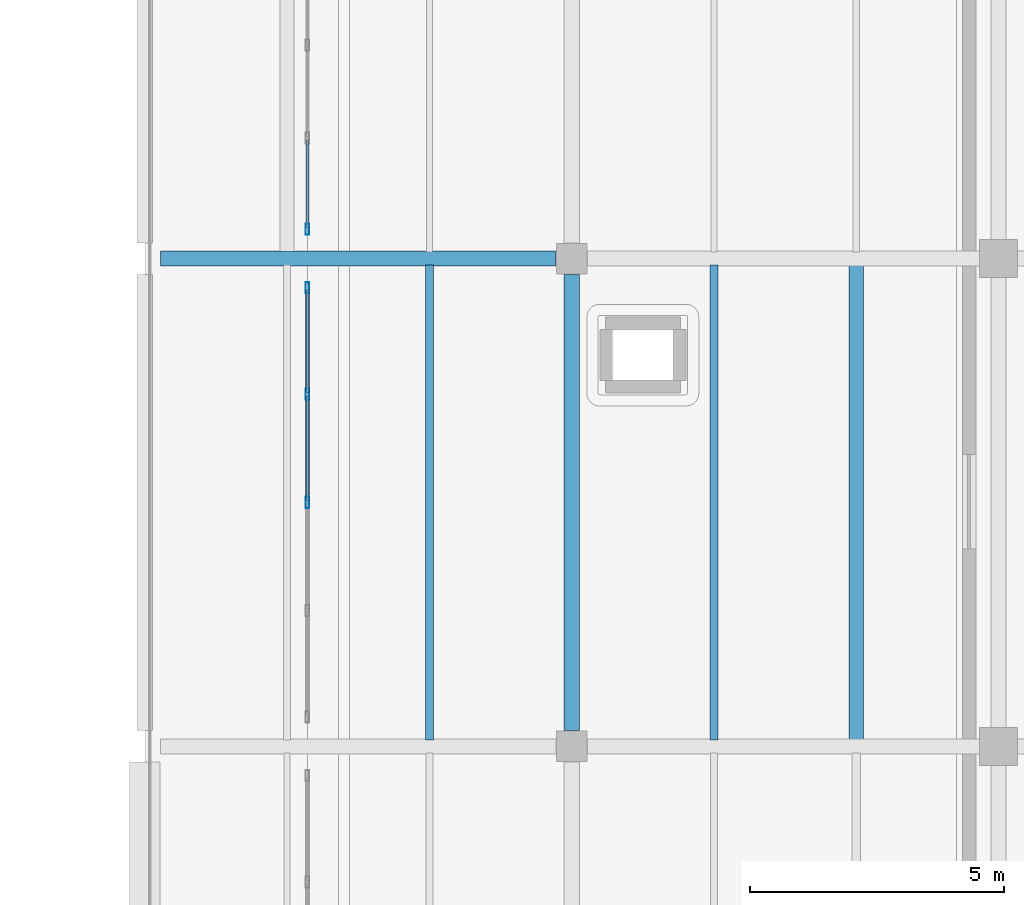
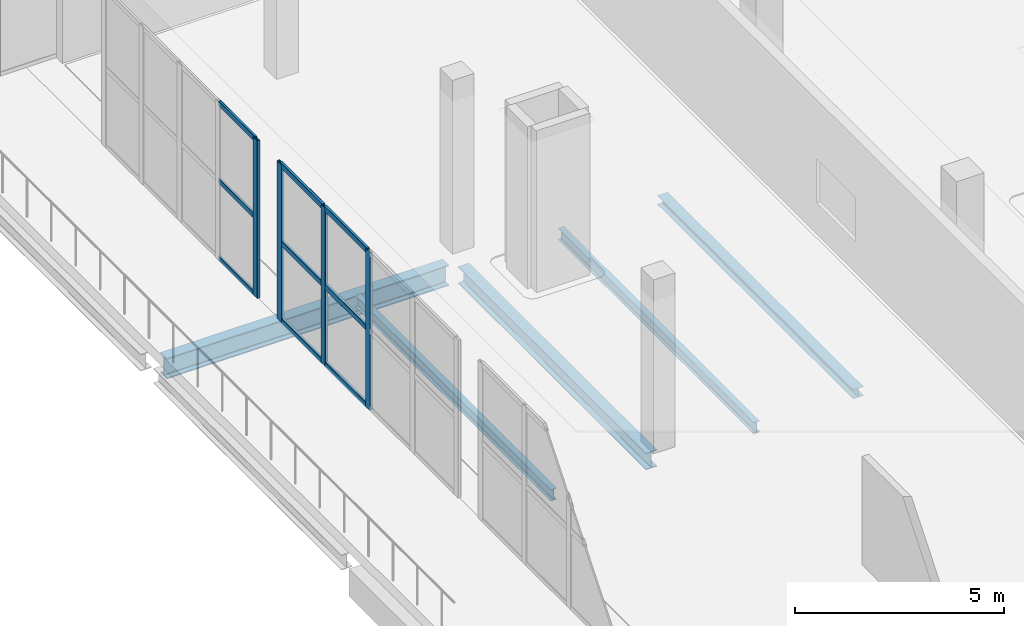
# One storey, part 30 of 77: 13 members, 5 beams, 2 elements without a shape of their own.
"""IFC4 building model written with IfcOpenShell, lengths in metres."""

from ifc_helpers import new_model, si_unit, direction, frame, origin, origin_2d, place, context, subcontext, project, spatial, hollow_rectangle, i_section, extrude, material, layer, layer_set, material_profile, profile_set, type_object, element, aggregate, save


model = new_model("IFC4")

# Units and contexts
model_context = context("Model", 3, precision=1e-05, world=origin(), true_north=direction((0.0, 1.0)))
body_context = subcontext(model_context, "Body", "Model", "MODEL_VIEW")
ifc_project = project(units=[si_unit("LENGTHUNIT", "METRE"), si_unit("AREAUNIT", "SQUARE_METRE"), si_unit("VOLUMEUNIT", "CUBIC_METRE"), si_unit("PLANEANGLEUNIT", "RADIAN"), si_unit("MASSUNIT", "GRAM", prefix="KILO")], contexts=[model_context])

# Site, building, storey
site_placement = place(None, origin())
site = spatial("IfcSite", under=ifc_project, at=site_placement, CompositionType="ELEMENT")
building_placement = place(site_placement, origin())
building = spatial("IfcBuilding", under=site, at=building_placement, Name="Zulmaris Art Gallery", CompositionType="ELEMENT")
storey_placement = place(building_placement, frame((0.0, 0.0, 15.60009765625)))
storey = spatial("IfcBuildingStorey", under=building, at=storey_placement, Name="L03", CompositionType="ELEMENT", Elevation=15.60009765625)

# Beams
ifc_material_1 = material(Name="Steel S355J2", Category="steel")
ifc_material_profile_1 = material_profile(ifc_material_1, i_section(OverallWidth=0.300048828125, OverallDepth=0.489990234375, WebThickness=0.011962890625, FlangeThickness=0.02294921875, FilletRadius=0.027099609375, at=origin_2d()), Name="HEA 500")
ifc_profile_set_1 = profile_set([ifc_material_profile_1], Name="Steel S355J2")
beam_type_1 = type_object("IfcBeamType", Name="BEAM-BM11", PredefinedType="BEAM", material=ifc_profile_set_1)
beam_1_placement = place(storey_placement, frame((133.199951171875, 41.110107421875, -0.614990234375), z_axis=(0.0, 1.0, 0.0), x_axis=(-1.0, 0.0, 0.0)))
element("IfcBeam", 1, at=beam_1_placement, inside=storey, type_object=beam_type_1, Name="L03 Y-girder (x=133.2, 40.8..50.4)", PredefinedType="BEAM", context=body_context, shape_type="SweptSolid", body=[
    extrude(i_section(OverallWidth=0.300048828125, OverallDepth=0.489990234375, WebThickness=0.011962890625, FlangeThickness=0.02294921875, FilletRadius=0.027099609375, at=origin_2d()), origin(), (0.0, 0.0, 1.0), 8.97998046875),
])
ifc_material_profile_2 = material_profile(ifc_material_1, i_section(OverallWidth=0.300048828125, OverallDepth=0.60009765625, WebThickness=0.015380859375, FlangeThickness=0.030029296875, FilletRadius=0.027099609375, at=origin_2d()), Name="HEB 600")
ifc_profile_set_2 = profile_set([ifc_material_profile_2], Name="Steel S355J2")
beam_type_2 = type_object("IfcBeamType", Name="BEAM-BM15", PredefinedType="BEAM", material=ifc_profile_set_2)
beam_2_placement = place(storey_placement, frame((125.110107421875, 50.39990234375, -0.670166015625), z_axis=(1.0, 0.0, 0.0), x_axis=(0.0, 1.0, 0.0)))
element("IfcBeam", 2, at=beam_2_placement, inside=storey, type_object=beam_type_2, Name="L03 X-girder (124.8..133.2, y=50.4)", PredefinedType="BEAM", context=body_context, shape_type="SweptSolid", body=[
    extrude(i_section(OverallWidth=0.300048828125, OverallDepth=0.60009765625, WebThickness=0.015380859375, FlangeThickness=0.030029296875, FilletRadius=0.027099609375, at=origin_2d()), origin(), (0.0, 0.0, 1.0), 7.77978515625),
])
ifc_material_profile_3 = material_profile(ifc_material_1, i_section(OverallWidth=0.159912109375, OverallDepth=0.330078125, WebThickness=0.007568359375, FlangeThickness=0.011474609375, FilletRadius=0.01806640625, at=origin_2d()), Name="IPE 330")
ifc_profile_set_3 = profile_set([ifc_material_profile_3], Name="Steel S355J2")
beam_type_3 = type_object("IfcBeamType", Name="BEAM-JS03", PredefinedType="JOIST", material=ifc_profile_set_3)
for number, where, z_axis, x_axis, name in (
    (3, (130.39990234375, 40.925048828125, -0.53515625), (0.0, 1.0, 0.0), (-1.0, 0.0, 0.0), "L03 secondary joist at x=130.4"),
    (4, (136.0, 40.925048828125, -0.53515625), (0.0, 1.0, 0.0), (-1.0, 0.0, 0.0), "L03 secondary joist at x=136.0"),
):
    element("IfcBeam", number, at=place(storey_placement, frame(where, z_axis=z_axis, x_axis=x_axis)), inside=storey, type_object=beam_type_3, Name=name, PredefinedType="JOIST", context=body_context, shape_type="SweptSolid", body=[
        extrude(i_section(OverallWidth=0.159912109375, OverallDepth=0.330078125, WebThickness=0.007568359375, FlangeThickness=0.011474609375, FilletRadius=0.01806640625, at=origin_2d()), origin(), (0.0, 0.0, 1.0), 9.349853515625),
    ])
ifc_material_profile_4 = material_profile(ifc_material_1, i_section(OverallWidth=0.280029296875, OverallDepth=0.27001953125, WebThickness=0.008056640625, FlangeThickness=0.012939453125, FilletRadius=0.02392578125, at=origin_2d()), Name="HEA 280")
ifc_profile_set_4 = profile_set([ifc_material_profile_4], Name="Steel S355J2")
beam_type_4 = type_object("IfcBeamType", Name="BEAM-JS04", PredefinedType="JOIST", material=ifc_profile_set_4)
beam_3_placement = place(storey_placement, frame((138.800048828125, 40.925048828125, -0.505126953125), z_axis=(0.0, 1.0, 0.0), x_axis=(-1.0, 0.0, 0.0)))
element("IfcBeam", 5, at=beam_3_placement, inside=storey, type_object=beam_type_4, Name="L03 secondary joist at x=138.8", PredefinedType="JOIST", context=body_context, shape_type="SweptSolid", body=[
    extrude(i_section(OverallWidth=0.280029296875, OverallDepth=0.27001953125, WebThickness=0.008056640625, FlangeThickness=0.012939453125, FilletRadius=0.02392578125, at=origin_2d()), origin(), (0.0, 0.0, 1.0), 9.349853515625),
])

# Curtain wall, members
ifc_material_2 = material(Name="Unitised Low-E Gallery Curtain Wall", Category="aluminium")
ifc_layer = layer(ifc_material_2, 0.179931640625)
ifc_layer_set = layer_set([ifc_layer], Name="Unitised Low-E Gallery Curtain Wall")
curtain_wall_type = type_object("IfcCurtainWallType", Name="CW-CW01", PredefinedType="NOTDEFINED", material=ifc_layer_set)
curtain_wall_1_placement = place(storey_placement, origin())
curtain_wall_1 = element("IfcCurtainWall", 6, at=curtain_wall_1_placement, inside=storey, type_object=curtain_wall_type, Name="L03 curtain wall 121", PredefinedType="NOTDEFINED")
ifc_material_3 = material(Name="Anodised Bronze Aluminium", Category="aluminium")
ifc_material_profile_5 = material_profile(ifc_material_3, hollow_rectangle(XDim=0.074951171875, YDim=0.219970703125, WallThickness=0.0048828125, InnerFilletRadius=0.007568359375, OuterFilletRadius=0.012451171875, at=origin_2d()), Name="ALU 75x220x5")
ifc_profile_set_5 = profile_set([ifc_material_profile_5], Name="Anodised Bronze Aluminium")
member_type_1 = type_object("IfcMemberType", Name="CWMUL-02", PredefinedType="MULLION", material=ifc_profile_set_5)
member_1_placement = place(storey_placement, frame((128.0, 45.60009765625, 0.0), z_axis=(0.0, 0.0, 1.0), x_axis=(-1.0, 0.0, 0.0)))
member_1 = element("IfcMember", 7, at=member_1_placement, type_object=member_type_1, Name="CW01 mullion 3", PredefinedType="MULLION", context=body_context, shape_type="SweptSolid", body=[
    extrude(hollow_rectangle(XDim=0.074951171875, YDim=0.219970703125, WallThickness=0.0048828125, InnerFilletRadius=0.007568359375, OuterFilletRadius=0.012451171875, at=origin_2d()), origin(), (0.0, 0.0, 1.0), 4.599853515625),
])
member_2_placement = place(storey_placement, frame((128.0, 47.72998046875, 0.0), z_axis=(0.0, 0.0, 1.0), x_axis=(-1.0, 0.0, 0.0)))
member_2 = element("IfcMember", 8, at=member_2_placement, type_object=member_type_1, Name="CW01 mullion 4", PredefinedType="MULLION", context=body_context, shape_type="SweptSolid", body=[
    extrude(hollow_rectangle(XDim=0.074951171875, YDim=0.219970703125, WallThickness=0.0048828125, InnerFilletRadius=0.007568359375, OuterFilletRadius=0.012451171875, at=origin_2d()), origin(), (0.0, 0.0, 1.0), 4.599853515625),
])
member_3_placement = place(storey_placement, frame((128.0, 49.822509765625, 0.0), z_axis=(0.0, 0.0, 1.0), x_axis=(-1.0, 0.0, 0.0)))
member_3 = element("IfcMember", 9, at=member_3_placement, type_object=member_type_1, Name="CW01 mullion 5", PredefinedType="MULLION", context=body_context, shape_type="SweptSolid", body=[
    extrude(hollow_rectangle(XDim=0.074951171875, YDim=0.219970703125, WallThickness=0.0048828125, InnerFilletRadius=0.007568359375, OuterFilletRadius=0.012451171875, at=origin_2d()), origin(), (0.0, 0.0, 1.0), 4.599853515625),
])

curtain_wall_2_placement = place(storey_placement, origin())
curtain_wall_2 = element("IfcCurtainWall", 10, at=curtain_wall_2_placement, inside=storey, type_object=curtain_wall_type, Name="L03 curtain wall 122", PredefinedType="NOTDEFINED")
member_4_placement = place(storey_placement, frame((128.0, 50.9775390625, 0.0), z_axis=(0.0, 0.0, 1.0), x_axis=(-1.0, 0.0, 0.0)))
member_4 = element("IfcMember", 11, at=member_4_placement, type_object=member_type_1, Name="CW01 mullion 1", PredefinedType="MULLION", context=body_context, shape_type="SweptSolid", body=[
    extrude(hollow_rectangle(XDim=0.074951171875, YDim=0.219970703125, WallThickness=0.0048828125, InnerFilletRadius=0.007568359375, OuterFilletRadius=0.012451171875, at=origin_2d()), origin(), (0.0, 0.0, 1.0), 4.599853515625),
])
ifc_material_profile_6 = material_profile(ifc_material_3, hollow_rectangle(XDim=0.06494140625, YDim=0.14990234375, WallThickness=0.00390625, InnerFilletRadius=0.006103515625, OuterFilletRadius=0.010009765625, at=origin_2d()), Name="ALU 65x150x4")
ifc_profile_set_6 = profile_set([ifc_material_profile_6], Name="Anodised Bronze Aluminium")
member_type_2 = type_object("IfcMemberType", Name="CWTRN-01", PredefinedType="USERDEFINED", material=ifc_profile_set_6)
member_5_placement = place(storey_placement, frame((128.0, 51.014892578125, 0.037353515625), z_axis=(0.0, 1.0, 0.0), x_axis=(-1.0, 0.0, 0.0)))
member_5 = element("IfcMember", 12, at=member_5_placement, type_object=member_type_2, Name="CW01 transom 1.1", ObjectType="TRANSOM", PredefinedType="USERDEFINED", context=body_context, shape_type="SweptSolid", body=[
    extrude(hollow_rectangle(XDim=0.06494140625, YDim=0.14990234375, WallThickness=0.00390625, InnerFilletRadius=0.006103515625, OuterFilletRadius=0.010009765625, at=origin_2d()), origin(), (0.0, 0.0, 1.0), 1.717529296875),
])
member_6_placement = place(storey_placement, frame((128.0, 51.014892578125, 2.2998046875), z_axis=(0.0, 1.0, 0.0), x_axis=(-1.0, 0.0, 0.0)))
member_6 = element("IfcMember", 13, at=member_6_placement, type_object=member_type_2, Name="CW01 transom 1.2", ObjectType="TRANSOM", PredefinedType="USERDEFINED", context=body_context, shape_type="SweptSolid", body=[
    extrude(hollow_rectangle(XDim=0.06494140625, YDim=0.14990234375, WallThickness=0.00390625, InnerFilletRadius=0.006103515625, OuterFilletRadius=0.010009765625, at=origin_2d()), origin(), (0.0, 0.0, 1.0), 1.717529296875),
])
member_7_placement = place(storey_placement, frame((128.0, 51.014892578125, 4.5625), z_axis=(0.0, 1.0, 0.0), x_axis=(-1.0, 0.0, 0.0)))
member_7 = element("IfcMember", 14, at=member_7_placement, type_object=member_type_2, Name="CW01 transom 1.3", ObjectType="TRANSOM", PredefinedType="USERDEFINED", context=body_context, shape_type="SweptSolid", body=[
    extrude(hollow_rectangle(XDim=0.06494140625, YDim=0.14990234375, WallThickness=0.00390625, InnerFilletRadius=0.006103515625, OuterFilletRadius=0.010009765625, at=origin_2d()), origin(), (0.0, 0.0, 1.0), 1.717529296875),
])
aggregate(curtain_wall_2, [member_4, member_5, member_6, member_7])

# Member
ifc_material_profile_7 = material_profile(ifc_material_3, hollow_rectangle(XDim=0.074951171875, YDim=0.159912109375, WallThickness=0.00390625, InnerFilletRadius=0.006103515625, OuterFilletRadius=0.010009765625, at=origin_2d()), Name="ALU 75x160x4")
ifc_profile_set_7 = profile_set([ifc_material_profile_7], Name="Anodised Bronze Aluminium")
member_type_3 = type_object("IfcMemberType", Name="CWTRN-02", PredefinedType="USERDEFINED", material=ifc_profile_set_7)
member_8_placement = place(storey_placement, frame((128.0, 45.637451171875, 0.037353515625), z_axis=(0.0, 1.0, 0.0), x_axis=(-1.0, 0.0, 0.0)))
member_8 = element("IfcMember", 15, at=member_8_placement, type_object=member_type_3, Name="CW01 transom 3.1", ObjectType="TRANSOM", PredefinedType="USERDEFINED", context=body_context, shape_type="SweptSolid", body=[
    extrude(hollow_rectangle(XDim=0.074951171875, YDim=0.159912109375, WallThickness=0.00390625, InnerFilletRadius=0.006103515625, OuterFilletRadius=0.010009765625, at=origin_2d()), origin(), (0.0, 0.0, 1.0), 2.054931640625),
])

member_9_placement = place(storey_placement, frame((128.0, 45.637451171875, 2.2998046875), z_axis=(0.0, 1.0, 0.0), x_axis=(-1.0, 0.0, 0.0)))
member_9 = element("IfcMember", 16, at=member_9_placement, type_object=member_type_3, Name="CW01 transom 3.2", ObjectType="TRANSOM", PredefinedType="USERDEFINED", context=body_context, shape_type="SweptSolid", body=[
    extrude(hollow_rectangle(XDim=0.074951171875, YDim=0.159912109375, WallThickness=0.00390625, InnerFilletRadius=0.006103515625, OuterFilletRadius=0.010009765625, at=origin_2d()), origin(), (0.0, 0.0, 1.0), 2.054931640625),
])

member_10_placement = place(storey_placement, frame((128.0, 45.637451171875, 4.5625), z_axis=(0.0, 1.0, 0.0), x_axis=(-1.0, 0.0, 0.0)))
member_10 = element("IfcMember", 17, at=member_10_placement, type_object=member_type_3, Name="CW01 transom 3.3", ObjectType="TRANSOM", PredefinedType="USERDEFINED", context=body_context, shape_type="SweptSolid", body=[
    extrude(hollow_rectangle(XDim=0.074951171875, YDim=0.159912109375, WallThickness=0.00390625, InnerFilletRadius=0.006103515625, OuterFilletRadius=0.010009765625, at=origin_2d()), origin(), (0.0, 0.0, 1.0), 2.054931640625),
])

member_11_placement = place(storey_placement, frame((128.0, 47.767578125, 0.037353515625), z_axis=(0.0, 1.0, 0.0), x_axis=(-1.0, 0.0, 0.0)))
member_11 = element("IfcMember", 18, at=member_11_placement, type_object=member_type_3, Name="CW01 transom 4.1", ObjectType="TRANSOM", PredefinedType="USERDEFINED", context=body_context, shape_type="SweptSolid", body=[
    extrude(hollow_rectangle(XDim=0.074951171875, YDim=0.159912109375, WallThickness=0.00390625, InnerFilletRadius=0.006103515625, OuterFilletRadius=0.010009765625, at=origin_2d()), origin(), (0.0, 0.0, 1.0), 2.017333984375),
])

member_12_placement = place(storey_placement, frame((128.0, 47.767578125, 2.2998046875), z_axis=(0.0, 1.0, 0.0), x_axis=(-1.0, 0.0, 0.0)))
member_12 = element("IfcMember", 19, at=member_12_placement, type_object=member_type_3, Name="CW01 transom 4.2", ObjectType="TRANSOM", PredefinedType="USERDEFINED", context=body_context, shape_type="SweptSolid", body=[
    extrude(hollow_rectangle(XDim=0.074951171875, YDim=0.159912109375, WallThickness=0.00390625, InnerFilletRadius=0.006103515625, OuterFilletRadius=0.010009765625, at=origin_2d()), origin(), (0.0, 0.0, 1.0), 2.017333984375),
])

member_13_placement = place(storey_placement, frame((128.0, 47.767578125, 4.5625), z_axis=(0.0, 1.0, 0.0), x_axis=(-1.0, 0.0, 0.0)))
member_13 = element("IfcMember", 20, at=member_13_placement, type_object=member_type_3, Name="CW01 transom 4.3", ObjectType="TRANSOM", PredefinedType="USERDEFINED", context=body_context, shape_type="SweptSolid", body=[
    extrude(hollow_rectangle(XDim=0.074951171875, YDim=0.159912109375, WallThickness=0.00390625, InnerFilletRadius=0.006103515625, OuterFilletRadius=0.010009765625, at=origin_2d()), origin(), (0.0, 0.0, 1.0), 2.017333984375),
])

aggregate(curtain_wall_1, [member_1, member_2, member_3, member_8, member_9, member_10, member_11, member_12, member_13])

save(model, "model.ifc")
